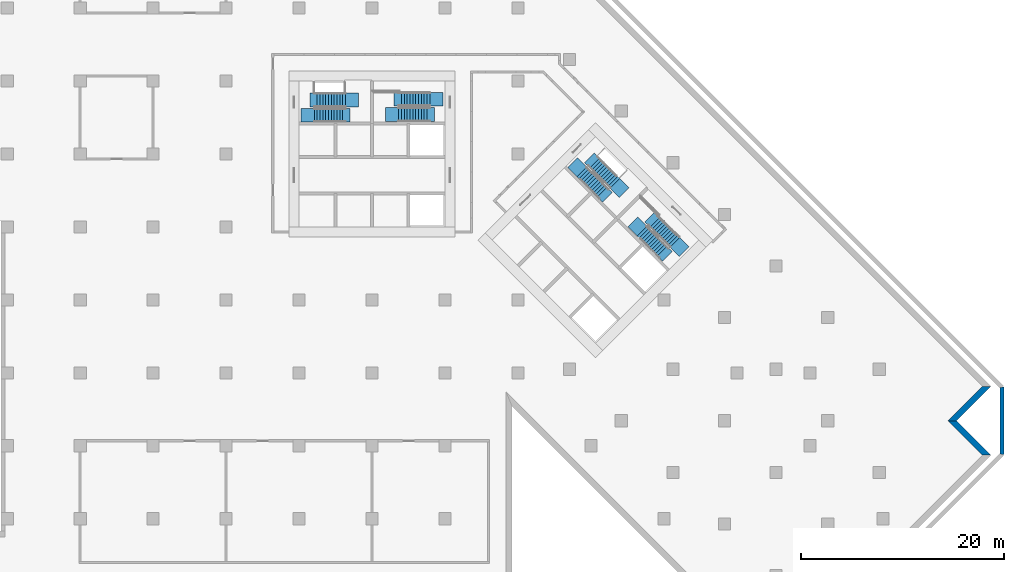
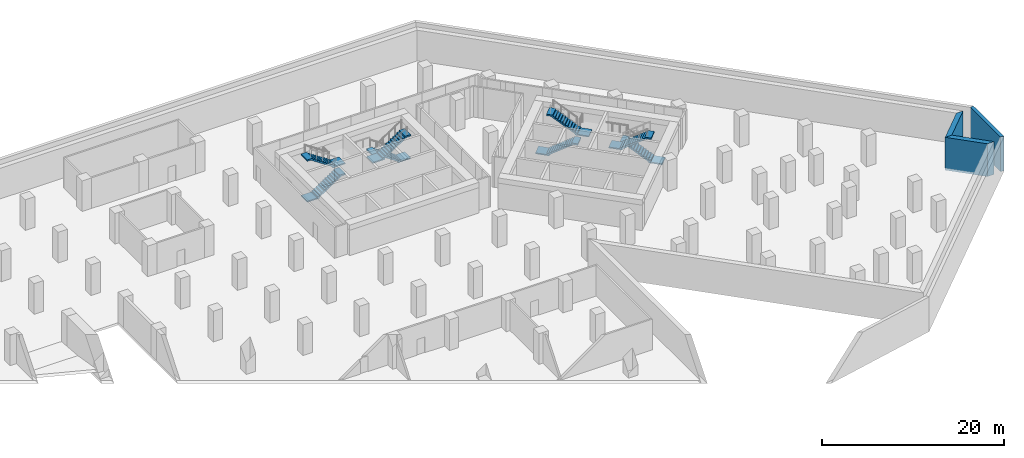
# One storey, part 9 of 11: 8 stair flights, 3 walls, 4 elements without a shape of their own.
"""IFC4 building model written with IfcOpenShell, lengths in metres."""

from ifc_helpers import new_model, si_unit, direction, frame, origin, place, context, subcontext, project, spatial, polyline, outline, extrude, material, layer, layer_set, type_object, element, aggregate, save


model = new_model("IFC4")

# Units and contexts
model_context = context("Model", 3, precision=1e-05, world=origin(), true_north=direction((0.0, 1.0)))
body_context = subcontext(model_context, "Body", "Model", "MODEL_VIEW")
ifc_project = project(units=[si_unit("LENGTHUNIT", "METRE"), si_unit("AREAUNIT", "SQUARE_METRE"), si_unit("VOLUMEUNIT", "CUBIC_METRE"), si_unit("PLANEANGLEUNIT", "RADIAN"), si_unit("MASSUNIT", "GRAM", prefix="KILO")], contexts=[model_context])

# Site, building, storey
site_placement = place(None, origin())
site = spatial("IfcSite", under=ifc_project, at=site_placement, CompositionType="ELEMENT")
building_placement = place(site_placement, origin())
building = spatial("IfcBuilding", under=site, at=building_placement, Name="Windrow Commons", CompositionType="ELEMENT")
storey_placement = place(building_placement, frame((0.0, 0.0, -4.5)))
storey = spatial("IfcBuildingStorey", under=building, at=storey_placement, Name="B1", CompositionType="ELEMENT", Elevation=-4.5)

# Walls
ifc_material_1 = material(Name="Concrete C40/50", Category="concrete")
ifc_layer_1 = layer(ifc_material_1, 0.4)
ifc_layer_set_1 = layer_set([ifc_layer_1], Name="RC RETAINING WALL 400 C40/50")
wall_type_1 = type_object("IfcWallType", Name="RC RETAINING WALL 400 C40/50", PredefinedType="SOLIDWALL", material=ifc_layer_set_1)
wall_1_placement = place(storey_placement, frame((126.9418, 34.5819, -0.3), z_axis=(0.0, 0.0, 1.0), x_axis=(0.0, -1.0, 0.0)))
element("IfcWall", 1, at=wall_1_placement, inside=storey, type_object=wall_type_1, Name="Retaining wall raft edge B1-016", PredefinedType="SOLIDWALL", context=body_context, shape_type="SweptSolid", body=[
    extrude(outline(polyline([(0.0414, -0.2), (6.5811, -0.2), (6.664, 0.2), (-0.0414, 0.2), (0.0414, -0.2)])), origin(), (0.0, 0.0, 1.0), 4.65),
])
ifc_material_2 = material(Name="Concrete C40/50", Category="concrete")
ifc_layer_2 = layer(ifc_material_2, 0.6)
ifc_layer_set_2 = layer_set([ifc_layer_2], Name="RC RETAINING WALL 600 C40/50")
wall_type_2 = type_object("IfcWallType", Name="RC RETAINING WALL 600 C40/50", PredefinedType="SOLIDWALL", material=ifc_layer_set_2)
placement_1 = place(storey_placement, frame((0.0, 0.0, -0.3)))
element("IfcWall", 2, at=placement_1, inside=storey, type_object=wall_type_2, Name="Retaining wall B1-07", PredefinedType="SOLIDWALL", context=body_context, shape_type="SweptSolid", body=[
    extrude(outline(polyline([(125.0205, 27.8765), (121.6264, 31.2706), (122.4749, 31.2706), (125.869, 27.8765), (125.0205, 27.8765)])), origin(), (0.0, 0.0, 1.0), 4.4),
])
element("IfcWall", 3, at=placement_1, inside=storey, type_object=wall_type_2, Name="Retaining wall B1-08", PredefinedType="SOLIDWALL", context=body_context, shape_type="SweptSolid", body=[
    extrude(outline(polyline([(121.6264, 31.2706), (125.0205, 34.6648), (125.869, 34.6648), (122.4749, 31.2706), (121.6264, 31.2706)])), origin(), (0.0, 0.0, 1.0), 4.4),
])

# Stair, stair flights
ifc_material_3 = material(Name="Concrete C40/50", Category="concrete")
stair_type = type_object("IfcStairType", Name="Core stair", PredefinedType="HALF_TURN_STAIR", material=ifc_material_3)
placement_2 = place(storey_placement, origin())
stair_1 = element("IfcStair", 4, at=placement_2, inside=storey, type_object=stair_type, Name="B1 Exit stair A1 core A", PredefinedType="HALF_TURN_STAIR")
ifc_material_4 = material(Name="Concrete C40/50", Category="concrete")
stair_flight_type = type_object("IfcStairFlightType", Name="Core stair flight", PredefinedType="STRAIGHT", material=ifc_material_4)
stair_flight_1_placement = place(storey_placement, frame((59.1, 61.425, 0.0), z_axis=(0.0, 0.0, 1.0), x_axis=(1.0, 0.0, 0.0)))
stair_flight_1 = element("IfcStairFlight", 5, at=stair_flight_1_placement, type_object=stair_flight_type, Name="ST-A1 flight 1", NumberOfRisers=12, NumberOfTreads=11, PredefinedType="STRAIGHT", RiserHeight=0.1875, TreadLength=0.28, context=body_context, shape_type="SweptSolid", body=[
    extrude(outline(polyline([(-1.3, -0.15), (-1.3, 0.0), (0.0, 0.0), (0.0, 0.1875), (0.28, 0.1875), (0.28, 0.375), (0.56, 0.375), (0.56, 0.5625), (0.84, 0.5625), (0.84, 0.75), (1.12, 0.75), (1.12, 0.9375), (1.4, 0.9375), (1.4, 1.125), (1.68, 1.125), (1.68, 1.3125), (1.96, 1.3125), (1.96, 1.5), (2.24, 1.5), (2.24, 1.6875), (2.52, 1.6875), (2.52, 1.875), (2.8, 1.875), (2.8, 2.0625), (3.08, 2.0625), (3.53, 2.0625), (3.53, 1.8625), (3.08, 1.8625), (3.08, 1.882), (0.2696, 0.0), (0.2696, -0.15), (-1.3, -0.15)])), frame((0.0, 0.675, 0.0), z_axis=(0.0, -1.0, 0.0), x_axis=(1.0, 0.0, 0.0)), (0.0, 0.0, 1.0), 1.35),
])
stair_flight_2_placement = place(storey_placement, frame((62.18, 62.925, 2.25), z_axis=(0.0, 0.0, 1.0), x_axis=(-1.0, 0.0, 0.0)))
stair_flight_2 = element("IfcStairFlight", 6, at=stair_flight_2_placement, type_object=stair_flight_type, Name="ST-A1 flight 2", NumberOfRisers=12, NumberOfTreads=11, PredefinedType="STRAIGHT", RiserHeight=0.1875, TreadLength=0.28, context=body_context, shape_type="SweptSolid", body=[
    extrude(outline(polyline([(-1.3, -0.15), (-1.3, 0.0), (0.0, 0.0), (0.0, 0.1875), (0.28, 0.1875), (0.28, 0.375), (0.56, 0.375), (0.56, 0.5625), (0.84, 0.5625), (0.84, 0.75), (1.12, 0.75), (1.12, 0.9375), (1.4, 0.9375), (1.4, 1.125), (1.68, 1.125), (1.68, 1.3125), (1.96, 1.3125), (1.96, 1.5), (2.24, 1.5), (2.24, 1.6875), (2.52, 1.6875), (2.52, 1.875), (2.8, 1.875), (2.8, 2.0625), (3.08, 2.0625), (3.53, 2.0625), (3.53, 1.8625), (3.08, 1.8625), (3.08, 1.882), (0.2696, 0.0), (0.2696, -0.15), (-1.3, -0.15)])), frame((0.0, 0.675, 0.0), z_axis=(0.0, -1.0, 0.0), x_axis=(1.0, 0.0, 0.0)), (0.0, 0.0, 1.0), 1.35),
])
aggregate(stair_1, [stair_flight_1, stair_flight_2])

stair_2 = element("IfcStair", 7, at=placement_2, inside=storey, type_object=stair_type, Name="B1 Exit stair A2 core A", PredefinedType="HALF_TURN_STAIR")
stair_flight_3_placement = place(storey_placement, frame((70.5, 62.98, 0.0), z_axis=(0.0, 0.0, 1.0), x_axis=(-1.0, 0.0, 0.0)))
stair_flight_3 = element("IfcStairFlight", 8, at=stair_flight_3_placement, type_object=stair_flight_type, Name="ST-A2 flight 1", NumberOfRisers=12, NumberOfTreads=11, PredefinedType="STRAIGHT", RiserHeight=0.1875, TreadLength=0.28, context=body_context, shape_type="SweptSolid", body=[
    extrude(outline(polyline([(-1.3, -0.15), (-1.3, 0.0), (0.0, 0.0), (0.0, 0.1875), (0.28, 0.1875), (0.28, 0.375), (0.56, 0.375), (0.56, 0.5625), (0.84, 0.5625), (0.84, 0.75), (1.12, 0.75), (1.12, 0.9375), (1.4, 0.9375), (1.4, 1.125), (1.68, 1.125), (1.68, 1.3125), (1.96, 1.3125), (1.96, 1.5), (2.24, 1.5), (2.24, 1.6875), (2.52, 1.6875), (2.52, 1.875), (2.8, 1.875), (2.8, 2.0625), (3.08, 2.0625), (3.53, 2.0625), (3.53, 1.8625), (3.08, 1.8625), (3.08, 1.882), (0.2696, 0.0), (0.2696, -0.15), (-1.3, -0.15)])), frame((0.0, 0.675, 0.0), z_axis=(0.0, -1.0, 0.0), x_axis=(1.0, 0.0, 0.0)), (0.0, 0.0, 1.0), 1.35),
])
stair_flight_4_placement = place(storey_placement, frame((67.42, 61.48, 2.25), z_axis=(0.0, 0.0, 1.0), x_axis=(1.0, 0.0, 0.0)))
stair_flight_4 = element("IfcStairFlight", 9, at=stair_flight_4_placement, type_object=stair_flight_type, Name="ST-A2 flight 2", NumberOfRisers=12, NumberOfTreads=11, PredefinedType="STRAIGHT", RiserHeight=0.1875, TreadLength=0.28, context=body_context, shape_type="SweptSolid", body=[
    extrude(outline(polyline([(-1.3, -0.15), (-1.3, 0.0), (0.0, 0.0), (0.0, 0.1875), (0.28, 0.1875), (0.28, 0.375), (0.56, 0.375), (0.56, 0.5625), (0.84, 0.5625), (0.84, 0.75), (1.12, 0.75), (1.12, 0.9375), (1.4, 0.9375), (1.4, 1.125), (1.68, 1.125), (1.68, 1.3125), (1.96, 1.3125), (1.96, 1.5), (2.24, 1.5), (2.24, 1.6875), (2.52, 1.6875), (2.52, 1.875), (2.8, 1.875), (2.8, 2.0625), (3.08, 2.0625), (3.53, 2.0625), (3.53, 1.8625), (3.08, 1.8625), (3.08, 1.882), (0.2696, 0.0), (0.2696, -0.15), (-1.3, -0.15)])), frame((0.0, 0.675, 0.0), z_axis=(0.0, -1.0, 0.0), x_axis=(1.0, 0.0, 0.0)), (0.0, 0.0, 1.0), 1.35),
])
aggregate(stair_2, [stair_flight_3, stair_flight_4])

stair_3 = element("IfcStair", 10, at=placement_2, inside=storey, type_object=stair_type, Name="B1 Exit stair B1 core B", PredefinedType="HALF_TURN_STAIR")
stair_flight_5_placement = place(storey_placement, frame((85.5109, 55.8249, 0.0), z_axis=(0.0, 0.0, 1.0), x_axis=(0.7071067812, -0.7071067812, 0.0)))
stair_flight_5 = element("IfcStairFlight", 11, at=stair_flight_5_placement, type_object=stair_flight_type, Name="ST-B1 flight 1", NumberOfRisers=12, NumberOfTreads=11, PredefinedType="STRAIGHT", RiserHeight=0.1875, TreadLength=0.28, context=body_context, shape_type="SweptSolid", body=[
    extrude(outline(polyline([(-1.3, -0.15), (-1.3, 0.0), (0.0, 0.0), (0.0, 0.1875), (0.28, 0.1875), (0.28, 0.375), (0.56, 0.375), (0.56, 0.5625), (0.84, 0.5625), (0.84, 0.75), (1.12, 0.75), (1.12, 0.9375), (1.4, 0.9375), (1.4, 1.125), (1.68, 1.125), (1.68, 1.3125), (1.96, 1.3125), (1.96, 1.5), (2.24, 1.5), (2.24, 1.6875), (2.52, 1.6875), (2.52, 1.875), (2.8, 1.875), (2.8, 2.0625), (3.08, 2.0625), (3.53, 2.0625), (3.53, 1.8625), (3.08, 1.8625), (3.08, 1.882), (0.2696, 0.0), (0.2696, -0.15), (-1.3, -0.15)])), frame((0.0, 0.675, 0.0), z_axis=(0.0, -1.0, 0.0), x_axis=(1.0, 0.0, 0.0)), (0.0, 0.0, 1.0), 1.35),
])
stair_flight_6_placement = place(storey_placement, frame((88.7495, 54.7077, 2.25), z_axis=(0.0, 0.0, 1.0), x_axis=(-0.7071067812, 0.7071067812, 0.0)))
stair_flight_6 = element("IfcStairFlight", 12, at=stair_flight_6_placement, type_object=stair_flight_type, Name="ST-B1 flight 2", NumberOfRisers=12, NumberOfTreads=11, PredefinedType="STRAIGHT", RiserHeight=0.1875, TreadLength=0.28, context=body_context, shape_type="SweptSolid", body=[
    extrude(outline(polyline([(-1.3, -0.15), (-1.3, 0.0), (0.0, 0.0), (0.0, 0.1875), (0.28, 0.1875), (0.28, 0.375), (0.56, 0.375), (0.56, 0.5625), (0.84, 0.5625), (0.84, 0.75), (1.12, 0.75), (1.12, 0.9375), (1.4, 0.9375), (1.4, 1.125), (1.68, 1.125), (1.68, 1.3125), (1.96, 1.3125), (1.96, 1.5), (2.24, 1.5), (2.24, 1.6875), (2.52, 1.6875), (2.52, 1.875), (2.8, 1.875), (2.8, 2.0625), (3.08, 2.0625), (3.53, 2.0625), (3.53, 1.8625), (3.08, 1.8625), (3.08, 1.882), (0.2696, 0.0), (0.2696, -0.15), (-1.3, -0.15)])), frame((0.0, 0.675, 0.0), z_axis=(0.0, -1.0, 0.0), x_axis=(1.0, 0.0, 0.0)), (0.0, 0.0, 1.0), 1.35),
])
aggregate(stair_3, [stair_flight_5, stair_flight_6])

stair_4 = element("IfcStair", 13, at=placement_2, inside=storey, type_object=stair_type, Name="B1 Exit stair B2 core B", PredefinedType="HALF_TURN_STAIR")
stair_flight_7_placement = place(storey_placement, frame((94.6715, 48.8635, 0.0), z_axis=(0.0, 0.0, 1.0), x_axis=(-0.7071067812, 0.7071067812, 0.0)))
stair_flight_7 = element("IfcStairFlight", 14, at=stair_flight_7_placement, type_object=stair_flight_type, Name="ST-B2 flight 1", NumberOfRisers=12, NumberOfTreads=11, PredefinedType="STRAIGHT", RiserHeight=0.1875, TreadLength=0.28, context=body_context, shape_type="SweptSolid", body=[
    extrude(outline(polyline([(-1.3, -0.15), (-1.3, 0.0), (0.0, 0.0), (0.0, 0.1875), (0.28, 0.1875), (0.28, 0.375), (0.56, 0.375), (0.56, 0.5625), (0.84, 0.5625), (0.84, 0.75), (1.12, 0.75), (1.12, 0.9375), (1.4, 0.9375), (1.4, 1.125), (1.68, 1.125), (1.68, 1.3125), (1.96, 1.3125), (1.96, 1.5), (2.24, 1.5), (2.24, 1.6875), (2.52, 1.6875), (2.52, 1.875), (2.8, 1.875), (2.8, 2.0625), (3.08, 2.0625), (3.53, 2.0625), (3.53, 1.8625), (3.08, 1.8625), (3.08, 1.882), (0.2696, 0.0), (0.2696, -0.15), (-1.3, -0.15)])), frame((0.0, 0.675, 0.0), z_axis=(0.0, -1.0, 0.0), x_axis=(1.0, 0.0, 0.0)), (0.0, 0.0, 1.0), 1.35),
])
stair_flight_8_placement = place(storey_placement, frame((91.4329, 49.9807, 2.25), z_axis=(0.0, 0.0, 1.0), x_axis=(0.7071067812, -0.7071067812, 0.0)))
stair_flight_8 = element("IfcStairFlight", 15, at=stair_flight_8_placement, type_object=stair_flight_type, Name="ST-B2 flight 2", NumberOfRisers=12, NumberOfTreads=11, PredefinedType="STRAIGHT", RiserHeight=0.1875, TreadLength=0.28, context=body_context, shape_type="SweptSolid", body=[
    extrude(outline(polyline([(-1.3, -0.15), (-1.3, 0.0), (0.0, 0.0), (0.0, 0.1875), (0.28, 0.1875), (0.28, 0.375), (0.56, 0.375), (0.56, 0.5625), (0.84, 0.5625), (0.84, 0.75), (1.12, 0.75), (1.12, 0.9375), (1.4, 0.9375), (1.4, 1.125), (1.68, 1.125), (1.68, 1.3125), (1.96, 1.3125), (1.96, 1.5), (2.24, 1.5), (2.24, 1.6875), (2.52, 1.6875), (2.52, 1.875), (2.8, 1.875), (2.8, 2.0625), (3.08, 2.0625), (3.53, 2.0625), (3.53, 1.8625), (3.08, 1.8625), (3.08, 1.882), (0.2696, 0.0), (0.2696, -0.15), (-1.3, -0.15)])), frame((0.0, 0.675, 0.0), z_axis=(0.0, -1.0, 0.0), x_axis=(1.0, 0.0, 0.0)), (0.0, 0.0, 1.0), 1.35),
])
aggregate(stair_4, [stair_flight_7, stair_flight_8])

save(model, "model.ifc")
